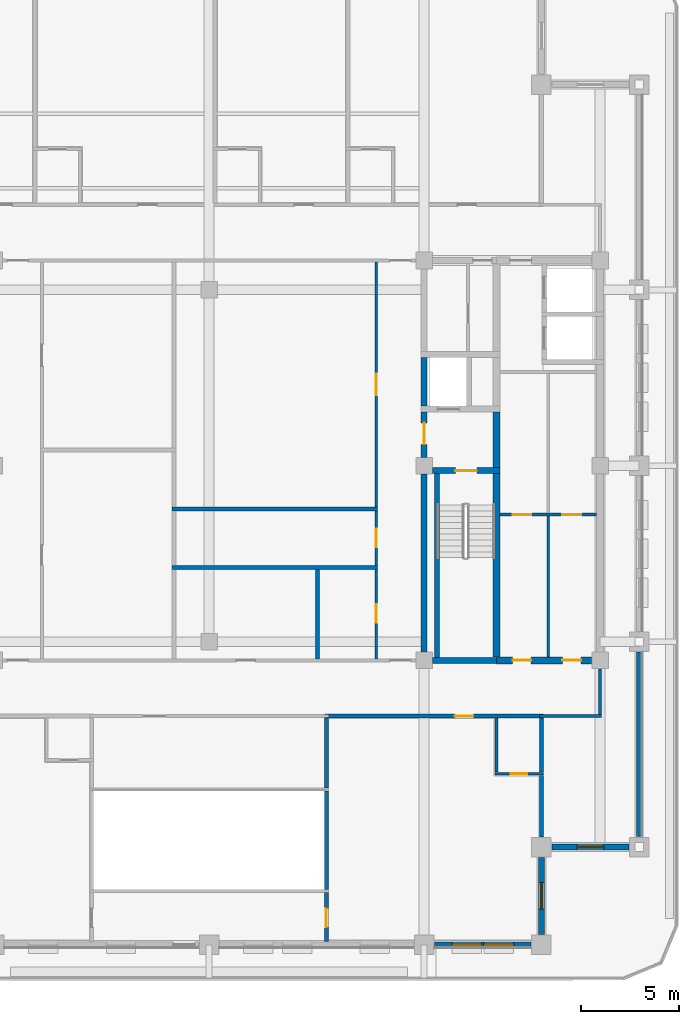
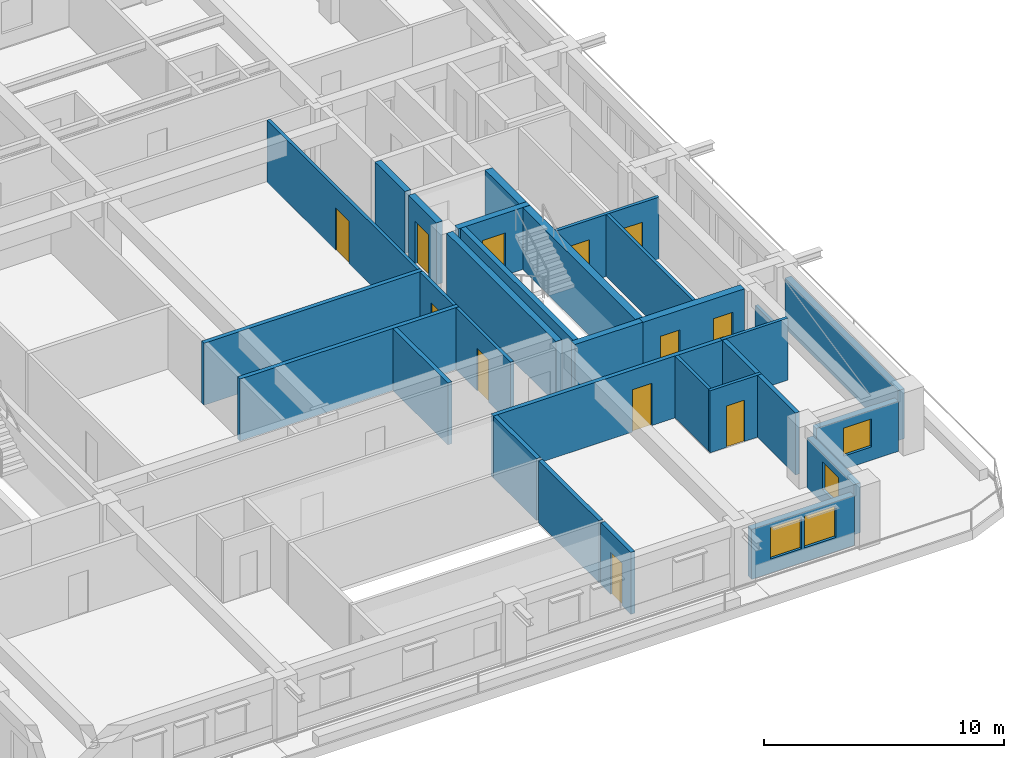
# One storey, part 4 of 14: 31 walls, 12 doors, 4 windows, 16 openings.
"""IFC4 building model written with IfcOpenShell, lengths in metres."""

from ifc_helpers import new_model, si_unit, direction, frame, frame_2d, origin, place, context, subcontext, project, spatial, rectangle, extrude, material, layer, layer_set, type_object, element, fill, save


model = new_model("IFC4")

# Units and contexts
model_context = context("Model", 3, precision=1e-05, world=origin(), true_north=direction((0.0, 1.0)))
body_context = subcontext(model_context, "Body", "Model", "MODEL_VIEW")
ifc_project = project(units=[si_unit("LENGTHUNIT", "METRE"), si_unit("AREAUNIT", "SQUARE_METRE"), si_unit("VOLUMEUNIT", "CUBIC_METRE"), si_unit("PLANEANGLEUNIT", "RADIAN"), si_unit("MASSUNIT", "GRAM", prefix="KILO")], contexts=[model_context])

# Site, building, storey
site_placement = place(None, origin())
site = spatial("IfcSite", under=ifc_project, at=site_placement, CompositionType="ELEMENT")
building_placement = place(site_placement, origin())
building = spatial("IfcBuilding", under=site, at=building_placement, Name="Zulmaris Gate Convention Tower", CompositionType="ELEMENT")
storey_placement = place(building_placement, frame((0.0, 0.0, 215.260009765625)))
storey = spatial("IfcBuildingStorey", under=building, at=storey_placement, Name="L56", CompositionType="ELEMENT", Elevation=215.260009765625)

# Walls
ifc_material_1 = material(Name="Concrete C50/60", Category="concrete")
ifc_layer_1 = layer(ifc_material_1, 0.25, Name="Concrete C50/60")
ifc_layer_set_1 = layer_set([ifc_layer_1], Name="Concrete C50/60")
wall_type_1 = type_object("IfcWallType", Name="CORE-250", PredefinedType="SOLIDWALL", material=ifc_layer_set_1)
wall_1_placement = place(storey_placement, frame((11.64990234375, -9.798095703125, 0.0), z_axis=(0.0, 0.0, 1.0), x_axis=(0.0, 1.0, 0.0)))
element("IfcWall", 1, at=wall_1_placement, inside=storey, type_object=wall_type_1, Name="WL-L56-067", PredefinedType="SOLIDWALL", context=body_context, shape_type="SweptSolid", body=[
    extrude(rectangle(XDim=9.39599609375, YDim=0.25, at=frame_2d((4.697998046875, 0.0))), origin(), (0.0, 0.0, 1.0), 3.14990234375),
])
ifc_layer_2 = layer(ifc_material_1, 0.300048828125, Name="Concrete C50/60")
ifc_layer_set_2 = layer_set([ifc_layer_2], Name="Concrete C50/60")
wall_type_2 = type_object("IfcWallType", Name="CORE-300", PredefinedType="SHEAR", material=ifc_layer_set_2)
wall_2_placement = place(storey_placement, frame((11.428955078125, -9.949951171875, 0.0), z_axis=(0.0, 0.0, 1.0), x_axis=(1.0, 0.0, 0.0)))
element("IfcWall", 2, at=wall_2_placement, inside=storey, type_object=wall_type_2, Name="WL-L56-003", PredefinedType="SHEAR", context=body_context, shape_type="SweptSolid", body=[
    extrude(rectangle(XDim=3.27099609375, YDim=0.300048828125, at=frame_2d((1.635498046875, 0.0))), origin(), (0.0, 0.0, 1.0), 3.14990234375),
])

# Wall, opening, door
wall_3_placement = place(storey_placement, frame((11.428955078125, -0.25, 0.0), z_axis=(0.0, 0.0, 1.0), x_axis=(1.0, 0.0, 0.0)))
wall_3 = element("IfcWall", 3, at=wall_3_placement, inside=storey, type_object=wall_type_2, Name="WL-L56-006", PredefinedType="SHEAR", context=body_context, shape_type="SweptSolid", body=[
    extrude(rectangle(XDim=3.446044921875, YDim=0.300048828125, at=frame_2d((1.72314453125, 0.0))), origin(), (0.0, 0.0, 1.0), 3.14990234375),
])
opening_1_placement = place(wall_3_placement, frame((1.1708984375, 0.0, 0.0)))
opening_1 = element("IfcOpeningElement", 4, at=opening_1_placement, cuts=wall_3, Name="Opening D-08", PredefinedType="OPENING", context=body_context, shape_type="SweptSolid", body=[
    extrude(rectangle(XDim=1.10009765625, YDim=2.14990234375, at=frame_2d((0.550048828125, 1.074951171875))), frame((0.0, 0.16015625, 0.0), z_axis=(0.0, -1.0, 0.0), x_axis=(1.0, 0.0, 0.0)), (0.0, 0.0, 1.0), 0.320068359375),
])
ifc_material_2 = material(Name="Fire-Rated Steel", Category="steel")
door_type_1 = type_object("IfcDoorType", Name="DR-1100-FD", OperationType="NOTDEFINED", PredefinedType="DOOR", material=ifc_material_2)
door_1_placement = place(opening_1_placement, origin())
door_1 = element("IfcDoor", 5, at=door_1_placement, inside=storey, type_object=door_type_1, Name="L56 Exit Stair ST-2 Door 04", OperationType="SINGLE_SWING_RIGHT", OverallHeight=2.14990234375, OverallWidth=1.10009765625, PredefinedType="DOOR", context=body_context, shape_type="SweptSolid", body=[
    extrude(rectangle(XDim=1.10009765625, YDim=2.14990234375, at=frame_2d((0.550048828125, 1.074951171875))), frame((0.0, 0.02490234375, 0.0), z_axis=(0.0, -1.0, 0.0), x_axis=(1.0, 0.0, 0.0)), (0.0, 0.0, 1.0), 0.050048828125),
])
fill(opening_1, door_1)

# Wall
wall_4_placement = place(storey_placement, frame((11.0, -9.52099609375, 0.0), z_axis=(0.0, 0.0, 1.0), x_axis=(0.0, 1.0, 0.0)))
element("IfcWall", 6, at=wall_4_placement, inside=storey, type_object=wall_type_2, Name="WL-L56-063", PredefinedType="SHEAR", context=body_context, shape_type="SweptSolid", body=[
    extrude(rectangle(XDim=9.092041015625, YDim=0.300048828125, at=frame_2d((4.5458984375, 0.0))), origin(), (0.0, 0.0, 1.0), 3.14990234375),
])

# Wall, opening, door
wall_5_placement = place(storey_placement, frame((11.0, 0.428955078125, 0.0), z_axis=(0.0, 0.0, 1.0), x_axis=(0.0, 1.0, 0.0)))
wall_5 = element("IfcWall", 7, at=wall_5_placement, inside=storey, type_object=wall_type_2, Name="WL-L56-064", PredefinedType="SHEAR", context=body_context, shape_type="SweptSolid", body=[
    extrude(rectangle(XDim=2.319091796875, YDim=0.300048828125, at=frame_2d((1.15966796875, 0.0))), origin(), (0.0, 0.0, 1.0), 3.14990234375),
])
opening_2_placement = place(wall_5_placement, frame((0.6708984375, 0.0, 0.0)))
opening_2 = element("IfcOpeningElement", 8, at=opening_2_placement, cuts=wall_5, Name="Opening D-08", PredefinedType="OPENING", context=body_context, shape_type="SweptSolid", body=[
    extrude(rectangle(XDim=1.10009765625, YDim=2.14990234375, at=frame_2d((0.550048828125, 1.074951171875))), frame((0.0, 0.16015625, 0.0), z_axis=(0.0, -1.0, 0.0), x_axis=(1.0, 0.0, 0.0)), (0.0, 0.0, 1.0), 0.320068359375),
])
door_2_placement = place(opening_2_placement, origin())
door_2 = element("IfcDoor", 9, at=door_2_placement, inside=storey, type_object=door_type_1, Name="L56 East Firefighting Lobby Door 05", OperationType="SINGLE_SWING_LEFT", OverallHeight=2.14990234375, OverallWidth=1.10009765625, PredefinedType="DOOR", context=body_context, shape_type="SweptSolid", body=[
    extrude(rectangle(XDim=1.10009765625, YDim=2.14990234375, at=frame_2d((0.550048828125, 1.074951171875))), frame((0.0, 0.02490234375, 0.0), z_axis=(0.0, -1.0, 0.0), x_axis=(1.0, 0.0, 0.0)), (0.0, 0.0, 1.0), 0.050048828125),
])
fill(opening_2, door_2)

# Wall
wall_6_placement = place(storey_placement, frame((11.0, 3.052001953125, 0.0), z_axis=(0.0, 0.0, 1.0), x_axis=(0.0, 1.0, 0.0)))
element("IfcWall", 10, at=wall_6_placement, inside=storey, type_object=wall_type_2, Name="WL-L56-065", PredefinedType="SHEAR", context=body_context, shape_type="SweptSolid", body=[
    extrude(rectangle(XDim=2.49609375, YDim=0.300048828125, at=frame_2d((1.248046875, 0.0))), origin(), (0.0, 0.0, 1.0), 3.14990234375),
])

# Wall, openings, doors
ifc_material_3 = material(Name="Concrete C55/67", Category="concrete")
ifc_layer_3 = layer(ifc_material_3, 0.35009765625, Name="Concrete C55/67")
ifc_layer_set_3 = layer_set([ifc_layer_3], Name="Concrete C55/67")
wall_type_3 = type_object("IfcWallType", Name="CORE-350", PredefinedType="SHEAR", material=ifc_layer_set_3)
wall_7_placement = place(storey_placement, frame((14.699951171875, -9.949951171875, 0.0), z_axis=(0.0, 0.0, 1.0), x_axis=(1.0, 0.0, 0.0)))
wall_7 = element("IfcWall", 11, at=wall_7_placement, inside=storey, type_object=wall_type_3, Name="WL-L56-004", PredefinedType="SHEAR", context=body_context, shape_type="SweptSolid", body=[
    extrude(rectangle(XDim=4.87109375, YDim=0.35009765625, at=frame_2d((2.435546875, 0.0))), origin(), (0.0, 0.0, 1.0), 3.14990234375),
])
opening_3_placement = place(wall_7_placement, frame((0.824951171875, 0.0, 0.0)))
opening_3 = element("IfcOpeningElement", 12, at=opening_3_placement, cuts=wall_7, Name="Opening D-11", PredefinedType="OPENING", context=body_context, shape_type="SweptSolid", body=[
    extrude(rectangle(XDim=0.949951171875, YDim=2.14990234375, at=frame_2d((0.47509765625, 1.074951171875))), frame((0.0, 0.18505859375, 0.0), z_axis=(0.0, -1.0, 0.0), x_axis=(1.0, 0.0, 0.0)), (0.0, 0.0, 1.0), 0.3701171875),
])
opening_4_placement = place(wall_7_placement, frame((3.375, 0.0, 0.0)))
opening_4 = element("IfcOpeningElement", 13, at=opening_4_placement, cuts=wall_7, Name="Opening D-11", PredefinedType="OPENING", context=body_context, shape_type="SweptSolid", body=[
    extrude(rectangle(XDim=0.949951171875, YDim=2.14990234375, at=frame_2d((0.47509765625, 1.074951171875))), frame((0.0, 0.18505859375, 0.0), z_axis=(0.0, -1.0, 0.0), x_axis=(1.0, 0.0, 0.0)), (0.0, 0.0, 1.0), 0.3701171875),
])
ifc_material_4 = material(Name="Fire-Rated Timber", Category="wood")
door_type_2 = type_object("IfcDoorType", Name="DR-950-FD", OperationType="NOTDEFINED", PredefinedType="DOOR", material=ifc_material_4)
door_3_placement = place(opening_3_placement, origin())
door_3 = element("IfcDoor", 14, at=door_3_placement, inside=storey, type_object=door_type_2, Name="L56 Staff WC Door 20", OperationType="SINGLE_SWING_LEFT", OverallHeight=2.14990234375, OverallWidth=0.949951171875, PredefinedType="DOOR", context=body_context, shape_type="SweptSolid", body=[
    extrude(rectangle(XDim=0.949951171875, YDim=2.14990234375, at=frame_2d((0.47509765625, 1.074951171875))), frame((0.0, 0.02490234375, 0.0), z_axis=(0.0, -1.0, 0.0), x_axis=(1.0, 0.0, 0.0)), (0.0, 0.0, 1.0), 0.050048828125),
])
fill(opening_3, door_3)
door_4_placement = place(opening_4_placement, origin())
door_4 = element("IfcDoor", 15, at=door_4_placement, inside=storey, type_object=door_type_2, Name="L56 Vending Room Door 22", OperationType="SINGLE_SWING_LEFT", OverallHeight=2.14990234375, OverallWidth=0.949951171875, PredefinedType="DOOR", context=body_context, shape_type="SweptSolid", body=[
    extrude(rectangle(XDim=0.949951171875, YDim=2.14990234375, at=frame_2d((0.47509765625, 1.074951171875))), frame((0.0, 0.02490234375, 0.0), z_axis=(0.0, -1.0, 0.0), x_axis=(1.0, 0.0, 0.0)), (0.0, 0.0, 1.0), 0.050048828125),
])
fill(opening_4, door_4)

# Walls
wall_8_placement = place(storey_placement, frame((14.699951171875, -9.77294921875, 0.0), z_axis=(0.0, 0.0, 1.0), x_axis=(0.0, 1.0, 0.0)))
element("IfcWall", 16, at=wall_8_placement, inside=storey, type_object=wall_type_3, Name="WL-L56-069", PredefinedType="SHEAR", context=body_context, shape_type="SweptSolid", body=[
    extrude(rectangle(XDim=9.370849609375, YDim=0.35009765625, at=frame_2d((4.685546875, 0.0))), origin(), (0.0, 0.0, 1.0), 3.14990234375),
])
wall_9_placement = place(storey_placement, frame((14.699951171875, -0.097900390625, 0.0), z_axis=(0.0, 0.0, 1.0), x_axis=(0.0, 1.0, 0.0)))
element("IfcWall", 17, at=wall_9_placement, inside=storey, type_object=wall_type_3, Name="WL-L56-070", PredefinedType="SHEAR", context=body_context, shape_type="SweptSolid", body=[
    extrude(rectangle(XDim=2.845947265625, YDim=0.35009765625, at=frame_2d((1.4228515625, 0.0))), origin(), (0.0, 0.0, 1.0), 3.14990234375),
])

# Wall, opening, door
ifc_material_5 = material(Name="Gypsum Metal Stud Partition")
ifc_layer_4 = layer(ifc_material_5, 0.14990234375, Name="Gypsum Metal Stud Partition")
ifc_layer_set_4 = layer_set([ifc_layer_4], Name="Gypsum Metal Stud Partition")
wall_type_4 = type_object("IfcWallType", Name="PART-150", PredefinedType="PARTITIONING", material=ifc_layer_set_4)
wall_10_placement = place(storey_placement, frame((14.625, -15.75, 0.0), z_axis=(0.0, 0.0, 1.0), x_axis=(1.0, 0.0, 0.0)))
wall_10 = element("IfcWall", 18, at=wall_10_placement, inside=storey, type_object=wall_type_4, Name="WL-L56-021", PredefinedType="PARTITIONING", context=body_context, shape_type="SweptSolid", body=[
    extrude(rectangle(XDim=2.47509765625, YDim=0.14990234375, at=frame_2d((1.237548828125, 0.0))), origin(), (0.0, 0.0, 1.0), 3.14990234375),
])
opening_5_placement = place(wall_10_placement, frame((0.800048828125, 0.0, 0.0)))
opening_5 = element("IfcOpeningElement", 19, at=opening_5_placement, cuts=wall_10, Name="Opening D-17", PredefinedType="OPENING", context=body_context, shape_type="SweptSolid", body=[
    extrude(rectangle(XDim=0.85009765625, YDim=2.10009765625, at=frame_2d((0.425048828125, 1.050048828125))), frame((0.0, 0.0849609375, 0.0), z_axis=(0.0, -1.0, 0.0), x_axis=(1.0, 0.0, 0.0)), (0.0, 0.0, 1.0), 0.169921875),
])
ifc_material_6 = material(Name="Moisture-Resistant Hardwood Timber", Category="wood")
door_type_3 = type_object("IfcDoorType", Name="DR-850", OperationType="NOTDEFINED", PredefinedType="DOOR", material=ifc_material_6)
door_5_placement = place(opening_5_placement, origin())
door_5 = element("IfcDoor", 20, at=door_5_placement, inside=storey, type_object=door_type_3, Name="L56 En-Suite Door 44", OperationType="SINGLE_SWING_LEFT", OverallHeight=2.10009765625, OverallWidth=0.85009765625, PredefinedType="DOOR", context=body_context, shape_type="SweptSolid", body=[
    extrude(rectangle(XDim=0.85009765625, YDim=2.10009765625, at=frame_2d((0.425048828125, 1.050048828125))), frame((0.0, 0.02490234375, 0.0), z_axis=(0.0, -1.0, 0.0), x_axis=(1.0, 0.0, 0.0)), (0.0, 0.0, 1.0), 0.050048828125),
])
fill(opening_5, door_5)

# Wall
wall_11_placement = place(storey_placement, frame((16.89990234375, -12.800048828125, 0.0), z_axis=(0.0, 0.0, 1.0), x_axis=(1.0, 0.0, 0.0)))
element("IfcWall", 21, at=wall_11_placement, inside=storey, type_object=wall_type_4, Name="WL-L56-026", PredefinedType="PARTITIONING", context=body_context, shape_type="SweptSolid", body=[
    extrude(rectangle(XDim=3.175048828125, YDim=0.14990234375, at=frame_2d((1.58740234375, 0.0))), origin(), (0.0, 0.0, 1.0), 3.14990234375),
])

# Wall, openings, doors
wall_12_placement = place(storey_placement, frame((14.8779296875, -2.5, 0.0), z_axis=(0.0, 0.0, 1.0), x_axis=(1.0, 0.0, 0.0)))
wall_12 = element("IfcWall", 22, at=wall_12_placement, inside=storey, type_object=wall_type_4, Name="WL-L56-030", PredefinedType="PARTITIONING", context=body_context, shape_type="SweptSolid", body=[
    extrude(rectangle(XDim=4.944091796875, YDim=0.14990234375, at=frame_2d((2.47216796875, 0.0))), origin(), (0.0, 0.0, 1.0), 3.14990234375),
])
opening_6_placement = place(wall_12_placement, frame((0.64697265625, 0.0, 0.0)))
opening_6 = element("IfcOpeningElement", 23, at=opening_6_placement, cuts=wall_12, Name="Opening D-11", PredefinedType="OPENING", context=body_context, shape_type="SweptSolid", body=[
    extrude(rectangle(XDim=0.949951171875, YDim=2.14990234375, at=frame_2d((0.47509765625, 1.074951171875))), frame((0.0, 0.0849609375, 0.0), z_axis=(0.0, -1.0, 0.0), x_axis=(1.0, 0.0, 0.0)), (0.0, 0.0, 1.0), 0.169921875),
])
opening_7_placement = place(wall_12_placement, frame((3.197021484375, 0.0, 0.0)))
opening_7 = element("IfcOpeningElement", 24, at=opening_7_placement, cuts=wall_12, Name="Opening D-11", PredefinedType="OPENING", context=body_context, shape_type="SweptSolid", body=[
    extrude(rectangle(XDim=0.949951171875, YDim=2.14990234375, at=frame_2d((0.47509765625, 1.074951171875))), frame((0.0, 0.0849609375, 0.0), z_axis=(0.0, -1.0, 0.0), x_axis=(1.0, 0.0, 0.0)), (0.0, 0.0, 1.0), 0.169921875),
])
door_6_placement = place(opening_6_placement, origin())
door_6 = element("IfcDoor", 25, at=door_6_placement, inside=storey, type_object=door_type_2, Name="L56 Locker Store Door 21", OperationType="SINGLE_SWING_RIGHT", OverallHeight=2.14990234375, OverallWidth=0.949951171875, PredefinedType="DOOR", context=body_context, shape_type="SweptSolid", body=[
    extrude(rectangle(XDim=0.949951171875, YDim=2.14990234375, at=frame_2d((0.47509765625, 1.074951171875))), frame((0.0, 0.02490234375, 0.0), z_axis=(0.0, -1.0, 0.0), x_axis=(1.0, 0.0, 0.0)), (0.0, 0.0, 1.0), 0.050048828125),
])
fill(opening_6, door_6)
door_7_placement = place(opening_7_placement, origin())
door_7 = element("IfcDoor", 26, at=door_7_placement, inside=storey, type_object=door_type_2, Name="L56 Ice Store Door 23", OperationType="SINGLE_SWING_RIGHT", OverallHeight=2.14990234375, OverallWidth=0.949951171875, PredefinedType="DOOR", context=body_context, shape_type="SweptSolid", body=[
    extrude(rectangle(XDim=0.949951171875, YDim=2.14990234375, at=frame_2d((0.47509765625, 1.074951171875))), frame((0.0, 0.02490234375, 0.0), z_axis=(0.0, -1.0, 0.0), x_axis=(1.0, 0.0, 0.0)), (0.0, 0.0, 1.0), 0.050048828125),
])
fill(opening_7, door_7)

# Wall, opening, door
wall_13_placement = place(storey_placement, frame((8.550048828125, -9.8720703125, 0.0), z_axis=(0.0, 0.0, 1.0), x_axis=(0.0, 1.0, 0.0)))
wall_13 = element("IfcWall", 27, at=wall_13_placement, inside=storey, type_object=wall_type_4, Name="WL-L56-113", PredefinedType="PARTITIONING", context=body_context, shape_type="SweptSolid", body=[
    extrude(rectangle(XDim=4.569091796875, YDim=0.14990234375, at=frame_2d((2.28466796875, 0.0))), origin(), (0.0, 0.0, 1.0), 3.14990234375),
])
opening_8_placement = place(wall_13_placement, frame((1.846923828125, 0.0, 0.0)))
opening_8 = element("IfcOpeningElement", 28, at=opening_8_placement, cuts=wall_13, Name="Opening D-11", PredefinedType="OPENING", context=body_context, shape_type="SweptSolid", body=[
    extrude(rectangle(XDim=0.949951171875, YDim=2.14990234375, at=frame_2d((0.47509765625, 1.074951171875))), frame((0.0, 0.0849609375, 0.0), z_axis=(0.0, -1.0, 0.0), x_axis=(1.0, 0.0, 0.0)), (0.0, 0.0, 1.0), 0.169921875),
])
door_8_placement = place(opening_8_placement, origin())
door_8 = element("IfcDoor", 29, at=door_8_placement, inside=storey, type_object=door_type_2, Name="L56 Accessible WC Door 49", OperationType="SINGLE_SWING_RIGHT", OverallHeight=2.14990234375, OverallWidth=0.949951171875, PredefinedType="DOOR", context=body_context, shape_type="SweptSolid", body=[
    extrude(rectangle(XDim=0.949951171875, YDim=2.14990234375, at=frame_2d((0.47509765625, 1.074951171875))), frame((0.0, 0.02490234375, 0.0), z_axis=(0.0, -1.0, 0.0), x_axis=(1.0, 0.0, 0.0)), (0.0, 0.0, 1.0), 0.050048828125),
])
fill(opening_8, door_8)

wall_14_placement = place(storey_placement, frame((8.550048828125, -5.096923828125, 0.0), z_axis=(0.0, 0.0, 1.0), x_axis=(0.0, 1.0, 0.0)))
wall_14 = element("IfcWall", 30, at=wall_14_placement, inside=storey, type_object=wall_type_4, Name="WL-L56-114", PredefinedType="PARTITIONING", context=body_context, shape_type="SweptSolid", body=[
    extrude(rectangle(XDim=2.7939453125, YDim=0.14990234375, at=frame_2d((1.39697265625, 0.0))), origin(), (0.0, 0.0, 1.0), 3.14990234375),
])
opening_9_placement = place(wall_14_placement, frame((0.922119140625, 0.0, 0.0)))
opening_9 = element("IfcOpeningElement", 31, at=opening_9_placement, cuts=wall_14, Name="Opening D-11", PredefinedType="OPENING", context=body_context, shape_type="SweptSolid", body=[
    extrude(rectangle(XDim=0.949951171875, YDim=2.14990234375, at=frame_2d((0.47509765625, 1.074951171875))), frame((0.0, 0.0849609375, 0.0), z_axis=(0.0, -1.0, 0.0), x_axis=(1.0, 0.0, 0.0)), (0.0, 0.0, 1.0), 0.169921875),
])
door_9_placement = place(opening_9_placement, origin())
door_9 = element("IfcDoor", 32, at=door_9_placement, inside=storey, type_object=door_type_2, Name="L56 Public WC Door 48", OperationType="SINGLE_SWING_LEFT", OverallHeight=2.14990234375, OverallWidth=0.949951171875, PredefinedType="DOOR", context=body_context, shape_type="SweptSolid", body=[
    extrude(rectangle(XDim=0.949951171875, YDim=2.14990234375, at=frame_2d((0.47509765625, 1.074951171875))), frame((0.0, 0.02490234375, 0.0), z_axis=(0.0, -1.0, 0.0), x_axis=(1.0, 0.0, 0.0)), (0.0, 0.0, 1.0), 0.050048828125),
])
fill(opening_9, door_9)

wall_15_placement = place(storey_placement, frame((8.550048828125, -2.096923828125, 0.0), z_axis=(0.0, 0.0, 1.0), x_axis=(0.0, 1.0, 0.0)))
wall_15 = element("IfcWall", 33, at=wall_15_placement, inside=storey, type_object=wall_type_4, Name="WL-L56-115", PredefinedType="PARTITIONING", context=body_context, shape_type="SweptSolid", body=[
    extrude(rectangle(XDim=12.51904296875, YDim=0.14990234375, at=frame_2d((6.259521484375, 0.0))), origin(), (0.0, 0.0, 1.0), 3.14990234375),
])
opening_10_placement = place(wall_15_placement, frame((5.697021484375, 0.0, 0.0)))
opening_10 = element("IfcOpeningElement", 34, at=opening_10_placement, cuts=wall_15, Name="Opening D-08", PredefinedType="OPENING", context=body_context, shape_type="SweptSolid", body=[
    extrude(rectangle(XDim=1.10009765625, YDim=2.14990234375, at=frame_2d((0.550048828125, 1.074951171875))), frame((0.0, 0.0849609375, 0.0), z_axis=(0.0, -1.0, 0.0), x_axis=(1.0, 0.0, 0.0)), (0.0, 0.0, 1.0), 0.169921875),
])
door_10_placement = place(opening_10_placement, origin())
door_10 = element("IfcDoor", 35, at=door_10_placement, inside=storey, type_object=door_type_1, Name="L56 Breakout Room Door 47", OperationType="SINGLE_SWING_RIGHT", OverallHeight=2.14990234375, OverallWidth=1.10009765625, PredefinedType="DOOR", context=body_context, shape_type="SweptSolid", body=[
    extrude(rectangle(XDim=1.10009765625, YDim=2.14990234375, at=frame_2d((0.550048828125, 1.074951171875))), frame((0.0, 0.02490234375, 0.0), z_axis=(0.0, -1.0, 0.0), x_axis=(1.0, 0.0, 0.0)), (0.0, 0.0, 1.0), 0.050048828125),
])
fill(opening_10, door_10)

# Walls
wall_16_placement = place(storey_placement, frame((14.699951171875, -15.672119140625, 0.0), z_axis=(0.0, 0.0, 1.0), x_axis=(0.0, 1.0, 0.0)))
element("IfcWall", 36, at=wall_16_placement, inside=storey, type_object=wall_type_4, Name="WL-L56-118", PredefinedType="PARTITIONING", context=body_context, shape_type="SweptSolid", body=[
    extrude(rectangle(XDim=2.76904296875, YDim=0.14990234375, at=frame_2d((1.384521484375, 0.0))), origin(), (0.0, 0.0, 1.0), 3.14990234375),
])
wall_17_placement = place(storey_placement, frame((17.35009765625, -9.77197265625, 0.0), z_axis=(0.0, 0.0, 1.0), x_axis=(0.0, 1.0, 0.0)))
element("IfcWall", 37, at=wall_17_placement, inside=storey, type_object=wall_type_4, Name="WL-L56-122", PredefinedType="PARTITIONING", context=body_context, shape_type="SweptSolid", body=[
    extrude(rectangle(XDim=7.194091796875, YDim=0.14990234375, at=frame_2d((3.59716796875, 0.0))), origin(), (0.0, 0.0, 1.0), 3.14990234375),
])
wall_18_placement = place(storey_placement, frame((20.0, -12.721923828125, 0.0), z_axis=(0.0, 0.0, 1.0), x_axis=(0.0, 1.0, 0.0)))
element("IfcWall", 38, at=wall_18_placement, inside=storey, type_object=wall_type_4, Name="WL-L56-124", PredefinedType="PARTITIONING", context=body_context, shape_type="SweptSolid", body=[
    extrude(rectangle(XDim=2.3408203125, YDim=0.14990234375, at=frame_2d((1.17041015625, 0.0))), origin(), (0.0, 0.0, 1.0), 2.341796875),
])

# Wall, opening, door
ifc_material_7 = material(Name="Autoclaved Aerated Concrete Block and Plasterboard", Category="concrete")
ifc_layer_5 = layer(ifc_material_7, 0.199951171875, Name="Autoclaved Aerated Concrete Block and Plasterboard")
ifc_layer_set_5 = layer_set([ifc_layer_5], Name="Autoclaved Aerated Concrete Block and Plasterboard")
wall_type_5 = type_object("IfcWallType", Name="PART-200", PredefinedType="PARTITIONING", material=ifc_layer_set_5)
wall_19_placement = place(storey_placement, frame((5.89990234375, -12.800048828125, 0.0), z_axis=(0.0, 0.0, 1.0), x_axis=(1.0, 0.0, 0.0)))
wall_19 = element("IfcWall", 39, at=wall_19_placement, inside=storey, type_object=wall_type_5, Name="WL-L56-025", PredefinedType="PARTITIONING", context=body_context, shape_type="SweptSolid", body=[
    extrude(rectangle(XDim=11.2001953125, YDim=0.199951171875, at=frame_2d((5.60009765625, 0.0))), origin(), (0.0, 0.0, 1.0), 3.14990234375),
])
opening_11_placement = place(wall_19_placement, frame((6.675048828125, 0.0, 0.0)))
opening_11 = element("IfcOpeningElement", 40, at=opening_11_placement, cuts=wall_19, Name="Opening D-11", PredefinedType="OPENING", context=body_context, shape_type="SweptSolid", body=[
    extrude(rectangle(XDim=0.949951171875, YDim=2.14990234375, at=frame_2d((0.47509765625, 1.074951171875))), frame((0.0, 0.10986328125, 0.0), z_axis=(0.0, -1.0, 0.0), x_axis=(1.0, 0.0, 0.0)), (0.0, 0.0, 1.0), 0.219970703125),
])
door_11_placement = place(opening_11_placement, origin())
door_11 = element("IfcDoor", 41, at=door_11_placement, inside=storey, type_object=door_type_2, Name="L56 Hotel Executive Suite Door 43", OperationType="SINGLE_SWING_RIGHT", OverallHeight=2.14990234375, OverallWidth=0.949951171875, PredefinedType="DOOR", context=body_context, shape_type="SweptSolid", body=[
    extrude(rectangle(XDim=0.949951171875, YDim=2.14990234375, at=frame_2d((0.47509765625, 1.074951171875))), frame((0.0, 0.02490234375, 0.0), z_axis=(0.0, -1.0, 0.0), x_axis=(1.0, 0.0, 0.0)), (0.0, 0.0, 1.0), 0.050048828125),
])
fill(opening_11, door_11)

# Walls
for number, where, z_axis, x_axis, name in (
    (42, (-1.89990234375, -5.199951171875, 0.0), (0.0, 0.0, 1.0), (1.0, 0.0, 0.0), "WL-L56-029"),
    (43, (-1.89990234375, -2.199951171875, 0.0), (0.0, 0.0, 1.0), (1.0, 0.0, 0.0), "WL-L56-031"),
):
    element("IfcWall", number, at=place(storey_placement, frame(where, z_axis=z_axis, x_axis=x_axis)), inside=storey, type_object=wall_type_5, Name=name, PredefinedType="PARTITIONING", context=body_context, shape_type="SweptSolid", body=[
        extrude(rectangle(XDim=10.52490234375, YDim=0.199951171875, at=frame_2d((5.262451171875, 0.0))), origin(), (0.0, 0.0, 1.0), 3.14990234375),
    ])
wall_20_placement = place(storey_placement, frame((5.550048828125, -9.8720703125, 0.0), z_axis=(0.0, 0.0, 1.0), x_axis=(0.0, 1.0, 0.0)))
element("IfcWall", 44, at=wall_20_placement, inside=storey, type_object=wall_type_5, Name="WL-L56-107", PredefinedType="PARTITIONING", context=body_context, shape_type="SweptSolid", body=[
    extrude(rectangle(XDim=4.569091796875, YDim=0.199951171875, at=frame_2d((2.28466796875, 0.0))), origin(), (0.0, 0.0, 1.0), 3.14990234375),
])

# Wall, opening, door
wall_21_placement = place(storey_placement, frame((6.0, -24.3349609375, 0.0), z_axis=(0.0, 0.0, 1.0), x_axis=(0.0, 1.0, 0.0)))
wall_21 = element("IfcWall", 45, at=wall_21_placement, inside=storey, type_object=wall_type_5, Name="WL-L56-108", PredefinedType="PARTITIONING", context=body_context, shape_type="SweptSolid", body=[
    extrude(rectangle(XDim=2.507080078125, YDim=0.199951171875, at=frame_2d((1.25341796875, 0.0))), origin(), (0.0, 0.0, 1.0), 3.14990234375),
])
opening_12_placement = place(wall_21_placement, frame((0.739990234375, 0.0, 0.0)))
opening_12 = element("IfcOpeningElement", 46, at=opening_12_placement, cuts=wall_21, Name="Opening D-11", PredefinedType="OPENING", context=body_context, shape_type="SweptSolid", body=[
    extrude(rectangle(XDim=0.949951171875, YDim=2.14990234375, at=frame_2d((0.47509765625, 1.074951171875))), frame((0.0, 0.10986328125, 0.0), z_axis=(0.0, -1.0, 0.0), x_axis=(1.0, 0.0, 0.0)), (0.0, 0.0, 1.0), 0.219970703125),
])
door_12_placement = place(opening_12_placement, origin())
door_12 = element("IfcDoor", 47, at=door_12_placement, inside=storey, type_object=door_type_2, Name="L56 Terrace Loggia East Door 39", OperationType="SINGLE_SWING_RIGHT", OverallHeight=2.14990234375, OverallWidth=0.949951171875, PredefinedType="DOOR", context=body_context, shape_type="SweptSolid", body=[
    extrude(rectangle(XDim=0.949951171875, YDim=2.14990234375, at=frame_2d((0.47509765625, 1.074951171875))), frame((0.0, 0.02490234375, 0.0), z_axis=(0.0, -1.0, 0.0), x_axis=(1.0, 0.0, 0.0)), (0.0, 0.0, 1.0), 0.050048828125),
])
fill(opening_12, door_12)

# Walls
wall_22_placement = place(storey_placement, frame((6.0, -21.672119140625, 0.0), z_axis=(0.0, 0.0, 1.0), x_axis=(0.0, 1.0, 0.0)))
element("IfcWall", 48, at=wall_22_placement, inside=storey, type_object=wall_type_5, Name="WL-L56-109", PredefinedType="PARTITIONING", context=body_context, shape_type="SweptSolid", body=[
    extrude(rectangle(XDim=5.044189453125, YDim=0.199951171875, at=frame_2d((2.52197265625, 0.0))), origin(), (0.0, 0.0, 1.0), 3.14990234375),
])
wall_23_placement = place(storey_placement, frame((6.0, -16.471923828125, 0.0), z_axis=(0.0, 0.0, 1.0), x_axis=(0.0, 1.0, 0.0)))
element("IfcWall", 49, at=wall_23_placement, inside=storey, type_object=wall_type_5, Name="WL-L56-110", PredefinedType="PARTITIONING", context=body_context, shape_type="SweptSolid", body=[
    extrude(rectangle(XDim=3.56884765625, YDim=0.199951171875, at=frame_2d((1.784423828125, 0.0))), origin(), (0.0, 0.0, 1.0), 3.14990234375),
])
wall_24_placement = place(storey_placement, frame((17.0, -18.993896484375, 0.0), z_axis=(0.0, 0.0, 1.0), x_axis=(0.0, 1.0, 0.0)))
element("IfcWall", 50, at=wall_24_placement, inside=storey, type_object=wall_type_5, Name="WL-L56-119", PredefinedType="PARTITIONING", context=body_context, shape_type="SweptSolid", body=[
    extrude(rectangle(XDim=3.166015625, YDim=0.199951171875, at=frame_2d((1.5830078125, 0.0))), origin(), (0.0, 0.0, 1.0), 3.14990234375),
])
wall_25_placement = place(storey_placement, frame((17.0, -15.672119140625, 0.0), z_axis=(0.0, 0.0, 1.0), x_axis=(0.0, 1.0, 0.0)))
element("IfcWall", 51, at=wall_25_placement, inside=storey, type_object=wall_type_5, Name="WL-L56-120", PredefinedType="PARTITIONING", context=body_context, shape_type="SweptSolid", body=[
    extrude(rectangle(XDim=2.76904296875, YDim=0.199951171875, at=frame_2d((1.384521484375, 0.0))), origin(), (0.0, 0.0, 1.0), 3.14990234375),
])

# Wall, opening, window
ifc_material_8 = material(Name="Precast concrete C40/50", Category="concrete")
ifc_layer_6 = layer(ifc_material_8, 0.300048828125, Name="Precast concrete C40/50")
ifc_layer_set_6 = layer_set([ifc_layer_6], Name="Precast concrete C40/50")
wall_type_6 = type_object("IfcWallType", Name="PRECAST-PIER-300", PredefinedType="STANDARD", material=ifc_layer_set_6)
wall_26_placement = place(storey_placement, frame((17.0, -23.969970703125, 0.0), z_axis=(0.0, 0.0, 1.0), x_axis=(0.0, 1.0, 0.0)))
wall_26 = element("IfcWall", 52, at=wall_26_placement, inside=storey, type_object=wall_type_6, Name="EW-L56-NOTCH-SE1_0", PredefinedType="STANDARD", context=body_context, shape_type="SweptSolid", body=[
    extrude(rectangle(XDim=3.93994140625, YDim=0.300048828125, at=frame_2d((1.969970703125, 0.0))), origin(), (0.0, 0.0, 1.0), 2.5419921875),
])
opening_13_placement = place(wall_26_placement, frame((1.294921875, 0.0, 0.679931640625)))
opening_13 = element("IfcOpeningElement", 53, at=opening_13_placement, cuts=wall_26, Name="Opening W-10", PredefinedType="OPENING", context=body_context, shape_type="SweptSolid", body=[
    extrude(rectangle(XDim=1.35009765625, YDim=1.419921875, at=frame_2d((0.675048828125, 0.7099609375))), frame((0.0, 0.16015625, 0.0), z_axis=(0.0, -1.0, 0.0), x_axis=(1.0, 0.0, 0.0)), (0.0, 0.0, 1.0), 0.320068359375),
])
ifc_material_9 = material(Name="Low-E Laminated Double Glazing in Aluminium Frame", Category="aluminium")
window_type_1 = type_object("IfcWindowType", Name="WIN-1350x2000", PartitioningType="SINGLE_PANEL", PredefinedType="WINDOW", material=ifc_material_9)
window_1_placement = place(opening_13_placement, origin())
window_1 = element("IfcWindow", 54, at=window_1_placement, inside=storey, type_object=window_type_1, Name="WN-EW-L56-NOTCH-SE1_0", OverallHeight=1.419921875, OverallWidth=1.35009765625, PartitioningType="SINGLE_PANEL", PredefinedType="WINDOW", context=body_context, shape_type="SweptSolid", body=[
    extrude(rectangle(XDim=1.35009765625, YDim=1.419921875, at=frame_2d((0.675048828125, 0.7099609375))), frame((0.0, 0.030029296875, 0.0), z_axis=(0.0, -1.0, 0.0), x_axis=(1.0, 0.0, 0.0)), (0.0, 0.0, 1.0), 0.06005859375),
])
fill(opening_13, window_1)

wall_27_placement = place(storey_placement, frame((17.530029296875, -19.5, 0.0), z_axis=(0.0, 0.0, 1.0), x_axis=(1.0, 0.0, 0.0)))
wall_27 = element("IfcWall", 55, at=wall_27_placement, inside=storey, type_object=wall_type_6, Name="EW-L56-NOTCH-SE2_0", PredefinedType="STANDARD", context=body_context, shape_type="SweptSolid", body=[
    extrude(rectangle(XDim=3.93994140625, YDim=0.300048828125, at=frame_2d((1.969970703125, 0.0))), origin(), (0.0, 0.0, 1.0), 2.5419921875),
])
opening_14_placement = place(wall_27_placement, frame((1.294921875, 0.0, 0.679931640625)))
opening_14 = element("IfcOpeningElement", 56, at=opening_14_placement, cuts=wall_27, Name="Opening W-10", PredefinedType="OPENING", context=body_context, shape_type="SweptSolid", body=[
    extrude(rectangle(XDim=1.35009765625, YDim=1.419921875, at=frame_2d((0.675048828125, 0.7099609375))), frame((0.0, 0.16015625, 0.0), z_axis=(0.0, -1.0, 0.0), x_axis=(1.0, 0.0, 0.0)), (0.0, 0.0, 1.0), 0.320068359375),
])
window_2_placement = place(opening_14_placement, origin())
window_2 = element("IfcWindow", 57, at=window_2_placement, inside=storey, type_object=window_type_1, Name="WN-EW-L56-NOTCH-SE2_0", OverallHeight=1.419921875, OverallWidth=1.35009765625, PartitioningType="SINGLE_PANEL", PredefinedType="WINDOW", context=body_context, shape_type="SweptSolid", body=[
    extrude(rectangle(XDim=1.35009765625, YDim=1.419921875, at=frame_2d((0.675048828125, 0.7099609375))), frame((0.0, 0.030029296875, 0.0), z_axis=(0.0, -1.0, 0.0), x_axis=(1.0, 0.0, 0.0)), (0.0, 0.0, 1.0), 0.06005859375),
])
fill(opening_14, window_2)

# Wall, openings, windows
wall_28_placement = place(storey_placement, frame((11.530029296875, -24.5, 0.0), z_axis=(0.0, 0.0, 1.0), x_axis=(1.0, 0.0, 0.0)))
wall_28 = element("IfcWall", 58, at=wall_28_placement, inside=storey, type_object=wall_type_6, Name="EW-L56-S-3_0", PredefinedType="STANDARD", context=body_context, shape_type="SweptSolid", body=[
    extrude(rectangle(XDim=4.93994140625, YDim=0.300048828125, at=frame_2d((2.469970703125, 0.0))), origin(), (0.0, 0.0, 1.0), 2.5419921875),
])
opening_15_placement = place(wall_28_placement, frame((0.89697265625, 0.0, 0.719970703125)))
opening_15 = element("IfcOpeningElement", 59, at=opening_15_placement, cuts=wall_28, Name="Opening W-03", PredefinedType="OPENING", context=body_context, shape_type="SweptSolid", body=[
    extrude(rectangle(XDim=1.5, YDim=1.60009765625, at=frame_2d((0.75, 0.800048828125))), frame((0.0, 0.16015625, 0.0), z_axis=(0.0, -1.0, 0.0), x_axis=(1.0, 0.0, 0.0)), (0.0, 0.0, 1.0), 0.320068359375),
])
opening_16_placement = place(wall_28_placement, frame((2.54296875, 0.0, 0.719970703125)))
opening_16 = element("IfcOpeningElement", 60, at=opening_16_placement, cuts=wall_28, Name="Opening W-03", PredefinedType="OPENING", context=body_context, shape_type="SweptSolid", body=[
    extrude(rectangle(XDim=1.5, YDim=1.60009765625, at=frame_2d((0.75, 0.800048828125))), frame((0.0, 0.16015625, 0.0), z_axis=(0.0, -1.0, 0.0), x_axis=(1.0, 0.0, 0.0)), (0.0, 0.0, 1.0), 0.320068359375),
])
window_type_2 = type_object("IfcWindowType", Name="WIN-1500x2100", PartitioningType="SINGLE_PANEL", PredefinedType="WINDOW", material=ifc_material_9)
window_3_placement = place(opening_15_placement, origin())
window_3 = element("IfcWindow", 61, at=window_3_placement, inside=storey, type_object=window_type_2, Name="WN-EW-L56-S-3_0-1", OverallHeight=1.60009765625, OverallWidth=1.5, PartitioningType="SINGLE_PANEL", PredefinedType="WINDOW", context=body_context, shape_type="SweptSolid", body=[
    extrude(rectangle(XDim=1.5, YDim=1.60009765625, at=frame_2d((0.75, 0.800048828125))), frame((0.0, 0.030029296875, 0.0), z_axis=(0.0, -1.0, 0.0), x_axis=(1.0, 0.0, 0.0)), (0.0, 0.0, 1.0), 0.06005859375),
])
fill(opening_15, window_3)
window_4_placement = place(opening_16_placement, origin())
window_4 = element("IfcWindow", 62, at=window_4_placement, inside=storey, type_object=window_type_2, Name="WN-EW-L56-S-3_0-2", OverallHeight=1.60009765625, OverallWidth=1.5, PartitioningType="SINGLE_PANEL", PredefinedType="WINDOW", context=body_context, shape_type="SweptSolid", body=[
    extrude(rectangle(XDim=1.5, YDim=1.60009765625, at=frame_2d((0.75, 0.800048828125))), frame((0.0, 0.030029296875, 0.0), z_axis=(0.0, -1.0, 0.0), x_axis=(1.0, 0.0, 0.0)), (0.0, 0.0, 1.0), 0.06005859375),
])
fill(opening_16, window_4)

# Wall
wall_29_placement = place(storey_placement, frame((22.0, -18.969970703125, 0.0), z_axis=(0.0, 0.0, 1.0), x_axis=(0.0, 1.0, 0.0)))
element("IfcWall", 63, at=wall_29_placement, inside=storey, type_object=wall_type_6, Name="EW-L56-E-0_0", PredefinedType="STANDARD", context=body_context, shape_type="SweptSolid", body=[
    extrude(rectangle(XDim=9.43994140625, YDim=0.300048828125, at=frame_2d((4.719970703125, 0.0))), origin(), (0.0, 0.0, 1.0), 2.5419921875),
])

save(model, "model.ifc")
